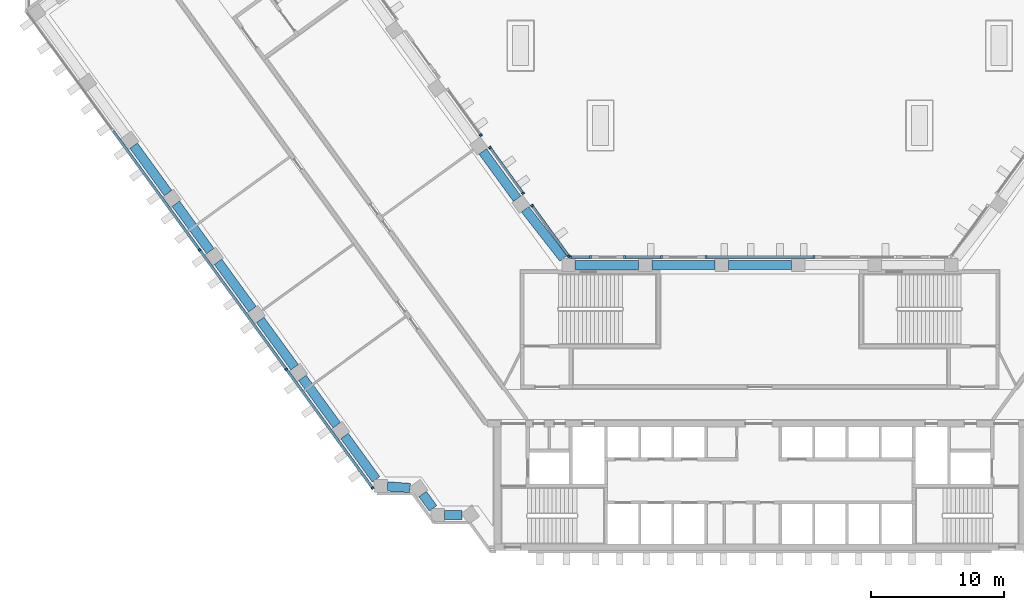
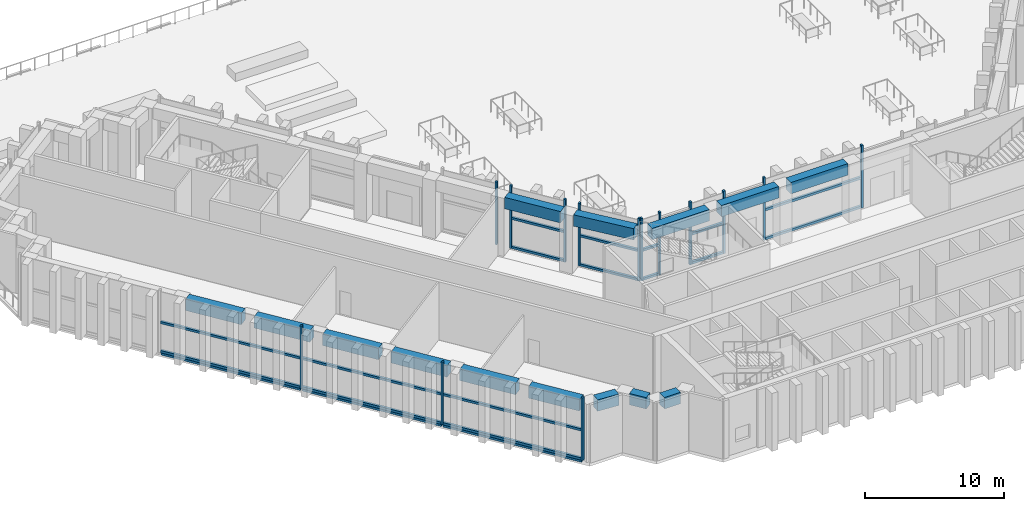
"""IFC4 building model written with IfcOpenShell, lengths in metres."""

from ifc_helpers import new_model, si_unit, direction, frame, origin, origin_2d, place, context, subcontext, project, spatial, rectangle, extrude, material, material_profile, profile_set, type_object, element, aggregate, save


model = new_model("IFC4")

# Units and contexts
model_context = context("Model", 3, precision=1e-05, world=origin(), true_north=direction((0.0, 1.0)))
body_context = subcontext(model_context, "Body", "Model", "MODEL_VIEW")
ifc_project = project(units=[si_unit("LENGTHUNIT", "METRE"), si_unit("AREAUNIT", "SQUARE_METRE"), si_unit("VOLUMEUNIT", "CUBIC_METRE"), si_unit("PLANEANGLEUNIT", "RADIAN"), si_unit("MASSUNIT", "GRAM", prefix="KILO")], contexts=[model_context])

# Site, building, storey
site_placement = place(None, origin())
site = spatial("IfcSite", under=ifc_project, at=site_placement, CompositionType="ELEMENT")
building_placement = place(site_placement, origin())
building = spatial("IfcBuilding", under=site, at=building_placement, Name="Quipu Civic Tower", CompositionType="ELEMENT")
storey_1_placement = place(building_placement, frame((0.0, 0.0, 6.0)))
storey_1 = spatial("IfcBuildingStorey", under=building, at=storey_1_placement, Name="L01", CompositionType="ELEMENT", Elevation=6.0)

# Curtain wall, members
ifc_material_1 = material(Name="Insulated glass unit", Category="glass")
curtain_wall_type_1 = type_object("IfcCurtainWallType", Name="Council chamber curtain wall CW4", PredefinedType="NOTDEFINED", material=ifc_material_1)
curtain_wall_1_placement = place(storey_1_placement, origin())
curtain_wall_1 = element("IfcCurtainWall", 1, at=curtain_wall_1_placement, inside=storey_1, type_object=curtain_wall_type_1, Name="Council chamber curtain wall CW4 L01 run 1", PredefinedType="NOTDEFINED")
ifc_material_2 = material(Name="Anodised aluminium", Category="aluminium")
ifc_material_profile_1 = material_profile(ifc_material_2, rectangle(XDim=0.199951171875, YDim=0.159912109375, at=origin_2d()), Name="RECT 200x160")
ifc_profile_set_1 = profile_set([ifc_material_profile_1], Name="Anodised aluminium")
member_type_1 = type_object("IfcMemberType", Name="Mullion CW4", PredefinedType="MULLION", material=ifc_profile_set_1)
member_1_placement = place(storey_1_placement, frame((-14.39111328125, 11.164794921875, 0.10009765625), z_axis=(0.0, 0.0, 1.0), x_axis=(-0.809009770629, -0.587795194797, 0.0)))
member_1 = element("IfcMember", 2, at=member_1_placement, type_object=member_type_1, Name="CW4 mullion 1", PredefinedType="MULLION", context=body_context, shape_type="SweptSolid", body=[
    extrude(rectangle(XDim=0.199951171875, YDim=0.159912109375, at=origin_2d()), origin(), (0.0, 0.0, 1.0), 5.5),
])
member_2_placement = place(storey_1_placement, frame((-17.1474609375, 14.958251953125, 0.10009765625), z_axis=(0.0, 0.0, 1.0), x_axis=(-0.809009770629, -0.587795194797, 0.0)))
member_2 = element("IfcMember", 3, at=member_2_placement, type_object=member_type_1, Name="CW4 mullion 2", PredefinedType="MULLION", context=body_context, shape_type="SweptSolid", body=[
    extrude(rectangle(XDim=0.199951171875, YDim=0.159912109375, at=origin_2d()), origin(), (0.0, 0.0, 1.0), 5.5),
])

curtain_wall_2_placement = place(storey_1_placement, origin())
curtain_wall_2 = element("IfcCurtainWall", 4, at=curtain_wall_2_placement, inside=storey_1, type_object=curtain_wall_type_1, Name="Council chamber curtain wall CW4 L01 run 2", PredefinedType="NOTDEFINED")
member_3_placement = place(storey_1_placement, frame((-17.829345703125, 15.896728515625, 0.10009765625), z_axis=(0.0, 0.0, 1.0), x_axis=(-0.809006271283, -0.587800011079, 0.0)))
member_3 = element("IfcMember", 5, at=member_3_placement, type_object=member_type_1, Name="CW4 mullion 1", PredefinedType="MULLION", context=body_context, shape_type="SweptSolid", body=[
    extrude(rectangle(XDim=0.199951171875, YDim=0.159912109375, at=origin_2d()), origin(), (0.0, 0.0, 1.0), 5.5),
])
member_4_placement = place(storey_1_placement, frame((-20.321533203125, 19.326904296875, 0.10009765625), z_axis=(0.0, 0.0, 1.0), x_axis=(-0.809006271283, -0.587800011079, 0.0)))
member_4 = element("IfcMember", 6, at=member_4_placement, type_object=member_type_1, Name="CW4 mullion 2", PredefinedType="MULLION", context=body_context, shape_type="SweptSolid", body=[
    extrude(rectangle(XDim=0.199951171875, YDim=0.159912109375, at=origin_2d()), origin(), (0.0, 0.0, 1.0), 5.5),
])

# Curtain wall, member
curtain_wall_3_placement = place(storey_1_placement, origin())
curtain_wall_3 = element("IfcCurtainWall", 7, at=curtain_wall_3_placement, inside=storey_1, type_object=curtain_wall_type_1, Name="Council chamber curtain wall CW4 L01 run 3", PredefinedType="NOTDEFINED")
member_5_placement = place(storey_1_placement, frame((-21.00341796875, 20.265380859375, 0.10009765625), z_axis=(0.0, 0.0, 1.0), x_axis=(-0.809024930992, -0.587774328321, 0.0)))
member_5 = element("IfcMember", 8, at=member_5_placement, type_object=member_type_1, Name="CW4 mullion 1", PredefinedType="MULLION", context=body_context, shape_type="SweptSolid", body=[
    extrude(rectangle(XDim=0.199951171875, YDim=0.159912109375, at=origin_2d()), origin(), (0.0, 0.0, 1.0), 5.5),
])
aggregate(curtain_wall_3, [member_5])

# Curtain wall, members
curtain_wall_4_placement = place(storey_1_placement, origin())
curtain_wall_4 = element("IfcCurtainWall", 9, at=curtain_wall_4_placement, inside=storey_1, type_object=curtain_wall_type_1, Name="Council chamber curtain wall CW4 L01 run 20", PredefinedType="NOTDEFINED")
member_6_placement = place(storey_1_placement, frame((-42.179931640625, 11.6435546875, 0.10009765625), z_axis=(0.0, 0.0, 1.0), x_axis=(0.809016918788, 0.587785356329, 0.0)))
member_6 = element("IfcMember", 10, at=member_6_placement, type_object=member_type_1, Name="CW4 mullion 3", PredefinedType="MULLION", context=body_context, shape_type="SweptSolid", body=[
    extrude(rectangle(XDim=0.199951171875, YDim=0.159912109375, at=origin_2d()), origin(), (0.0, 0.0, 1.0), 5.5),
])
member_7_placement = place(storey_1_placement, frame((-35.64306640625, 2.646240234375, 0.10009765625), z_axis=(0.0, 0.0, 1.0), x_axis=(0.809016918788, 0.587785356329, 0.0)))
member_7 = element("IfcMember", 11, at=member_7_placement, type_object=member_type_1, Name="CW4 mullion 4", PredefinedType="MULLION", context=body_context, shape_type="SweptSolid", body=[
    extrude(rectangle(XDim=0.199951171875, YDim=0.159912109375, at=origin_2d()), origin(), (0.0, 0.0, 1.0), 5.5),
])
member_8_placement = place(storey_1_placement, frame((-29.15283203125, -6.28662109375, 0.10009765625), z_axis=(0.0, 0.0, 1.0), x_axis=(0.809016918788, 0.587785356329, 0.0)))
member_8 = element("IfcMember", 12, at=member_8_placement, type_object=member_type_1, Name="CW4 mullion 5", PredefinedType="MULLION", context=body_context, shape_type="SweptSolid", body=[
    extrude(rectangle(XDim=0.199951171875, YDim=0.159912109375, at=origin_2d()), origin(), (0.0, 0.0, 1.0), 5.5),
])

curtain_wall_5_placement = place(storey_1_placement, origin())
curtain_wall_5 = element("IfcCurtainWall", 13, at=curtain_wall_5_placement, inside=storey_1, type_object=curtain_wall_type_1, Name="Council chamber curtain wall CW4 L01 run 58", PredefinedType="NOTDEFINED")
member_9_placement = place(storey_1_placement, frame((4.063232421875, 11.10009765625, 0.10009765625), z_axis=(0.0, 0.0, 1.0), x_axis=(0.0, -1.0, 0.0)))
member_9 = element("IfcMember", 14, at=member_9_placement, type_object=member_type_1, Name="CW4 mullion 1", PredefinedType="MULLION", context=body_context, shape_type="SweptSolid", body=[
    extrude(rectangle(XDim=0.199951171875, YDim=0.159912109375, at=origin_2d()), origin(), (0.0, 0.0, 1.0), 5.5),
])
member_10_placement = place(storey_1_placement, frame((-4.063232421875, 11.10009765625, 0.10009765625), z_axis=(0.0, 0.0, 1.0), x_axis=(0.0, -1.0, 0.0)))
member_10 = element("IfcMember", 15, at=member_10_placement, type_object=member_type_1, Name="CW4 mullion 2", PredefinedType="MULLION", context=body_context, shape_type="SweptSolid", body=[
    extrude(rectangle(XDim=0.199951171875, YDim=0.159912109375, at=origin_2d()), origin(), (0.0, 0.0, 1.0), 5.5),
])

curtain_wall_6_placement = place(storey_1_placement, origin())
curtain_wall_6 = element("IfcCurtainWall", 16, at=curtain_wall_6_placement, inside=storey_1, type_object=curtain_wall_type_1, Name="Council chamber curtain wall CW4 L01 run 60", PredefinedType="NOTDEFINED")
member_11_placement = place(storey_1_placement, frame((-7.411865234375, 11.10009765625, 0.10009765625), z_axis=(0.0, 0.0, 1.0), x_axis=(0.0, -1.0, 0.0)))
member_11 = element("IfcMember", 17, at=member_11_placement, type_object=member_type_1, Name="CW4 mullion 1", PredefinedType="MULLION", context=body_context, shape_type="SweptSolid", body=[
    extrude(rectangle(XDim=0.199951171875, YDim=0.159912109375, at=origin_2d()), origin(), (0.0, 0.0, 1.0), 5.5),
])
member_12_placement = place(storey_1_placement, frame((-10.18359375, 11.10009765625, 0.10009765625), z_axis=(0.0, 0.0, 1.0), x_axis=(0.0, -1.0, 0.0)))
member_12 = element("IfcMember", 18, at=member_12_placement, type_object=member_type_1, Name="CW4 mullion 2", PredefinedType="MULLION", context=body_context, shape_type="SweptSolid", body=[
    extrude(rectangle(XDim=0.199951171875, YDim=0.159912109375, at=origin_2d()), origin(), (0.0, 0.0, 1.0), 5.5),
])

curtain_wall_7_placement = place(storey_1_placement, origin())
curtain_wall_7 = element("IfcCurtainWall", 19, at=curtain_wall_7_placement, inside=storey_1, type_object=curtain_wall_type_1, Name="Council chamber curtain wall CW4 L01 run 62", PredefinedType="NOTDEFINED")
member_13_placement = place(storey_1_placement, frame((-12.735107421875, 11.10009765625, 0.10009765625), z_axis=(0.0, 0.0, 1.0), x_axis=(0.0, -1.0, 0.0)))
member_13 = element("IfcMember", 20, at=member_13_placement, type_object=member_type_1, Name="CW4 mullion 1", PredefinedType="MULLION", context=body_context, shape_type="SweptSolid", body=[
    extrude(rectangle(XDim=0.199951171875, YDim=0.159912109375, at=origin_2d()), origin(), (0.0, 0.0, 1.0), 5.5),
])
member_14_placement = place(storey_1_placement, frame((-14.26416015625, 11.10009765625, 0.10009765625), z_axis=(0.0, 0.0, 1.0), x_axis=(0.0, -1.0, 0.0)))
member_14 = element("IfcMember", 21, at=member_14_placement, type_object=member_type_1, Name="CW4 mullion 2", PredefinedType="MULLION", context=body_context, shape_type="SweptSolid", body=[
    extrude(rectangle(XDim=0.199951171875, YDim=0.159912109375, at=origin_2d()), origin(), (0.0, 0.0, 1.0), 5.5),
])

# Beams
ifc_material_3 = material(Name="Concrete C50/60", Category="concrete")
ifc_material_profile_2 = material_profile(ifc_material_3, rectangle(XDim=0.699951171875, YDim=1.0, at=origin_2d()), Name="RC700x1000")
ifc_profile_set_2 = profile_set([ifc_material_profile_2], Name="Concrete C50/60")
beam_type = type_object("IfcBeamType", Name="Spandrel beam RC 700x1000 C50/60", PredefinedType="SPANDREL", material=ifc_profile_set_2)
for number, where, z_axis, x_axis, name in (
    (22, (-18.267578125, 15.4794921875, 4.60009765625), (-0.587722908759, 0.809062285934, 0.0), (-0.809062285934, -0.587722908759, 0.0), "Spandrel beam L01 W-IN-01 to W-IN-02"),
    (23, (-47.12451171875, 19.47021484375, 4.60009765625), (0.587785613349, -0.809016732052, 0.0), (0.809016732052, 0.587785613349, 0.0), "Spandrel beam L01 W-OUT-06 to W-OUT-05"),
):
    element("IfcBeam", number, at=place(storey_1_placement, frame(where, z_axis=z_axis, x_axis=x_axis)), inside=storey_1, type_object=beam_type, Name=name, PredefinedType="SPANDREL", context=body_context, shape_type="SweptSolid", body=[
        extrude(rectangle(XDim=0.699951171875, YDim=1.0, at=origin_2d()), origin(), (0.0, 0.0, 1.0), 4.39990234375),
    ])
for number, where, z_axis, x_axis, name in (
    (24, (-43.950439453125, 15.101806640625, 4.60009765625), (0.587759228046, -0.809035901457, 0.0), (0.809035901457, 0.587759228046, 0.0), "Spandrel beam L01 W-OUT-05 to W-OUT-04"),
    (25, (-40.776611328125, 10.73291015625, 4.60009765625), (0.58779554378, -0.809009517072, 0.0), (0.809009517072, 0.58779554378, 0.0), "Spandrel beam L01 W-OUT-04 to W-OUT-03"),
    (26, (-37.602294921875, 6.3642578125, 4.60009765625), (0.587759228046, -0.809035901457, 0.0), (0.809035901457, 0.587759228046, 0.0), "Spandrel beam L01 W-OUT-03 to W-OUT-02"),
    (27, (-34.428466796875, 1.99560546875, 4.60009765625), (0.587759228046, -0.809035901457, 0.0), (0.809035901457, 0.587759228046, 0.0), "Spandrel beam L01 W-OUT-02 to W-OUT-01"),
):
    element("IfcBeam", number, at=place(storey_1_placement, frame(where, z_axis=z_axis, x_axis=x_axis)), inside=storey_1, type_object=beam_type, Name=name, PredefinedType="SPANDREL", context=body_context, shape_type="SweptSolid", body=[
        extrude(rectangle(XDim=0.699951171875, YDim=1.0, at=origin_2d()), origin(), (0.0, 0.0, 1.0), 4.400146484375),
    ])
beam_1_placement = place(storey_1_placement, frame((-31.25439453125, -2.373291015625, 4.60009765625), z_axis=(0.587811022966, -0.808998270258, 0.0), x_axis=(0.808998270258, 0.587811022966, 0.0)))
element("IfcBeam", 28, at=beam_1_placement, inside=storey_1, type_object=beam_type, Name="Spandrel beam L01 W-OUT-01 to J-Wo.0", PredefinedType="SPANDREL", context=body_context, shape_type="SweptSolid", body=[
    extrude(rectangle(XDim=0.699951171875, YDim=1.0, at=origin_2d()), origin(), (0.0, 0.0, 1.0), 4.025390625),
])
beam_2_placement = place(storey_1_placement, frame((-28.02490234375, -6.166259765625, 4.60009765625), z_axis=(0.99737429836, -0.072418982124, 0.0), x_axis=(0.072418982124, 0.99737429836, 0.0)))
element("IfcBeam", 29, at=beam_2_placement, inside=storey_1, type_object=beam_type, Name="Spandrel beam L01 J-Wo.0 to J-Wo.1", PredefinedType="SPANDREL", context=body_context, shape_type="SweptSolid", body=[
    extrude(rectangle(XDim=0.699951171875, YDim=1.0, at=origin_2d()), origin(), (0.0, 0.0, 1.0), 1.702392578125),
])
beam_3_placement = place(storey_1_placement, frame((-25.380126953125, -6.7412109375, 4.60009765625), z_axis=(0.588346597772, -0.808608855313, 0.0), x_axis=(0.808608855313, 0.588346597772, 0.0)))
element("IfcBeam", 30, at=beam_3_placement, inside=storey_1, type_object=beam_type, Name="Spandrel beam L01 J-Wo.1 to J-Wo.2", PredefinedType="SPANDREL", context=body_context, shape_type="SweptSolid", body=[
    extrude(rectangle(XDim=0.699951171875, YDim=1.0, at=origin_2d()), origin(), (0.0, 0.0, 1.0), 1.327880859375),
])
beam_4_placement = place(storey_1_placement, frame((-23.735107421875, -8.31494140625, 4.60009765625), z_axis=(1.0, 0.0, 0.0), x_axis=(0.0, 1.0, 0.0)))
element("IfcBeam", 31, at=beam_4_placement, inside=storey_1, type_object=beam_type, Name="Spandrel beam L01 J-Wo.2 to J-Wo.3", PredefinedType="SPANDREL", context=body_context, shape_type="SweptSolid", body=[
    extrude(rectangle(XDim=0.699951171875, YDim=1.0, at=origin_2d()), origin(), (0.0, 0.0, 1.0), 1.3251953125),
])
beam_5_placement = place(storey_1_placement, frame((2.37890625, 10.5, 4.60009765625), z_axis=(-1.0, 0.0, 0.0), x_axis=(0.0, -1.0, 0.0)))
element("IfcBeam", 32, at=beam_5_placement, inside=storey_1, type_object=beam_type, Name="Spandrel beam L01 FRONT-02 to FRONT-03", PredefinedType="SPANDREL", context=body_context, shape_type="SweptSolid", body=[
    extrude(rectangle(XDim=0.699951171875, YDim=1.0, at=origin_2d()), origin(), (0.0, 0.0, 1.0), 4.7578125),
])
beam_6_placement = place(storey_1_placement, frame((-3.37890625, 10.5, 4.60009765625), z_axis=(-1.0, 0.0, 0.0), x_axis=(0.0, -1.0, 0.0)))
element("IfcBeam", 33, at=beam_6_placement, inside=storey_1, type_object=beam_type, Name="Spandrel beam L01 FRONT-03 to FRONT-04", PredefinedType="SPANDREL", context=body_context, shape_type="SweptSolid", body=[
    extrude(rectangle(XDim=0.699951171875, YDim=1.0, at=origin_2d()), origin(), (0.0, 0.0, 1.0), 4.75830078125),
])
beam_7_placement = place(storey_1_placement, frame((-9.13720703125, 10.5, 4.60009765625), z_axis=(-1.0, 0.0, 0.0), x_axis=(0.0, -1.0, 0.0)))
element("IfcBeam", 34, at=beam_7_placement, inside=storey_1, type_object=beam_type, Name="Spandrel beam L01 FRONT-04 to J-Wi.0", PredefinedType="SPANDREL", context=body_context, shape_type="SweptSolid", body=[
    extrude(rectangle(XDim=0.699951171875, YDim=1.0, at=origin_2d()), origin(), (0.0, 0.0, 1.0), 4.758056640625),
])
beam_8_placement = place(storey_1_placement, frame((-14.786376953125, 11.0, 4.60009765625), z_axis=(-0.616068753057, 0.787692383806, 0.0), x_axis=(-0.787692383806, -0.616068753057, 0.0)))
element("IfcBeam", 35, at=beam_8_placement, inside=storey_1, type_object=beam_type, Name="Spandrel beam L01 J-Wi.0 to W-IN-01", PredefinedType="SPANDREL", context=body_context, shape_type="SweptSolid", body=[
    extrude(rectangle(XDim=0.699951171875, YDim=1.0, at=origin_2d()), origin(), (0.0, 0.0, 1.0), 4.673095703125),
])

# Storey
storey_2_placement = place(building_placement, origin())
storey_2 = spatial("IfcBuildingStorey", under=building, at=storey_2_placement, Name="L00", CompositionType="ELEMENT", Elevation=0.0)

# Curtain wall, members
ifc_material_4 = material(Name="Insulated glass unit", Category="glass")
curtain_wall_type_2 = type_object("IfcCurtainWallType", Name="Hall glazing CW2", PredefinedType="NOTDEFINED", material=ifc_material_4)
curtain_wall_8_placement = place(storey_2_placement, origin())
curtain_wall_8 = element("IfcCurtainWall", 36, at=curtain_wall_8_placement, inside=storey_2, type_object=curtain_wall_type_2, Name="Hall glazing CW2 L00 run 35", PredefinedType="NOTDEFINED")
ifc_material_5 = material(Name="Anodised aluminium", Category="aluminium")
ifc_material_profile_3 = material_profile(ifc_material_5, rectangle(XDim=0.199951171875, YDim=0.179931640625, at=origin_2d()), Name="RECT 200x180")
ifc_profile_set_3 = profile_set([ifc_material_profile_3], Name="Anodised aluminium")
member_type_2 = type_object("IfcMemberType", Name="Transom CW2", PredefinedType="USERDEFINED", material=ifc_profile_set_3)
member_15_placement = place(storey_1_placement, frame((-48.650146484375, 20.548828125, 0.0), z_axis=(0.587795713653, -0.809009393648, 0.0), x_axis=(0.809009393648, 0.587795713653, 0.0)))
member_15 = element("IfcMember", 37, at=member_15_placement, inside=storey_1, type_object=member_type_2, Name="CW2 transom 2.3", ObjectType="TRANSOM", PredefinedType="USERDEFINED", context=body_context, shape_type="SweptSolid", body=[
    extrude(rectangle(XDim=0.199951171875, YDim=0.179931640625, at=origin_2d()), origin(), (0.0, 0.0, 1.0), 10.966796875),
])
member_16_placement = place(storey_1_placement, frame((-42.12158203125, 11.563232421875, 0.0), z_axis=(0.587781143224, -0.809019979772, 0.0), x_axis=(0.809019979772, 0.587781143224, 0.0)))
member_16 = element("IfcMember", 38, at=member_16_placement, inside=storey_1, type_object=member_type_2, Name="CW2 transom 3.3", ObjectType="TRANSOM", PredefinedType="USERDEFINED", context=body_context, shape_type="SweptSolid", body=[
    extrude(rectangle(XDim=0.199951171875, YDim=0.179931640625, at=origin_2d()), origin(), (0.0, 0.0, 1.0), 10.966796875),
])
member_17_placement = place(storey_1_placement, frame((-35.59326171875, 2.57763671875, 0.0), z_axis=(0.587789297473, -0.809014055364, 0.0), x_axis=(0.809014055364, 0.587789297473, 0.0)))
member_17 = element("IfcMember", 39, at=member_17_placement, inside=storey_1, type_object=member_type_2, Name="CW2 transom 4.3", ObjectType="TRANSOM", PredefinedType="USERDEFINED", context=body_context, shape_type="SweptSolid", body=[
    extrude(rectangle(XDim=0.199951171875, YDim=0.179931640625, at=origin_2d()), origin(), (0.0, 0.0, 1.0), 10.896728515625),
])
aggregate(curtain_wall_8, [member_15, member_16, member_17])

# Member
ifc_material_6 = material(Name="Anodised aluminium", Category="aluminium")
ifc_material_profile_4 = material_profile(ifc_material_6, rectangle(XDim=0.199951171875, YDim=0.199951171875, at=origin_2d()), Name="RECT 200x200")
ifc_profile_set_4 = profile_set([ifc_material_profile_4], Name="Anodised aluminium")
member_type_3 = type_object("IfcMemberType", Name="Transom CW4", PredefinedType="USERDEFINED", material=ifc_profile_set_4)
member_18_placement = place(storey_1_placement, frame((-14.438232421875, 11.2294921875, 0.199951171875), z_axis=(-0.587787007192, 0.809015719363, 0.0), x_axis=(-0.809015719363, -0.587787007192, 0.0)))
member_18 = element("IfcMember", 40, at=member_18_placement, type_object=member_type_3, Name="CW4 transom 1.1", ObjectType="TRANSOM", PredefinedType="USERDEFINED", context=body_context, shape_type="SweptSolid", body=[
    extrude(rectangle(XDim=0.199951171875, YDim=0.199951171875, at=origin_2d()), origin(), (0.0, 0.0, 1.0), 4.529052734375),
])

member_19_placement = place(storey_1_placement, frame((-14.438232421875, 11.2294921875, 2.75), z_axis=(-0.587787007192, 0.809015719363, 0.0), x_axis=(-0.809015719363, -0.587787007192, 0.0)))
member_19 = element("IfcMember", 41, at=member_19_placement, type_object=member_type_3, Name="CW4 transom 1.2", ObjectType="TRANSOM", PredefinedType="USERDEFINED", context=body_context, shape_type="SweptSolid", body=[
    extrude(rectangle(XDim=0.199951171875, YDim=0.199951171875, at=origin_2d()), origin(), (0.0, 0.0, 1.0), 4.529052734375),
])

aggregate(curtain_wall_1, [member_1, member_2, member_18, member_19])

member_20_placement = place(storey_1_placement, frame((-17.876220703125, 15.96142578125, 0.199951171875), z_axis=(-0.587790931986, 0.809012867805, 0.0), x_axis=(-0.809012867805, -0.587790931986, 0.0)))
member_20 = element("IfcMember", 42, at=member_20_placement, type_object=member_type_3, Name="CW4 transom 1.1", ObjectType="TRANSOM", PredefinedType="USERDEFINED", context=body_context, shape_type="SweptSolid", body=[
    extrude(rectangle(XDim=0.199951171875, YDim=0.199951171875, at=origin_2d()), origin(), (0.0, 0.0, 1.0), 4.080078125),
])

member_21_placement = place(storey_1_placement, frame((-17.876220703125, 15.96142578125, 2.75), z_axis=(-0.587790931986, 0.809012867805, 0.0), x_axis=(-0.809012867805, -0.587790931986, 0.0)))
member_21 = element("IfcMember", 43, at=member_21_placement, type_object=member_type_3, Name="CW4 transom 1.2", ObjectType="TRANSOM", PredefinedType="USERDEFINED", context=body_context, shape_type="SweptSolid", body=[
    extrude(rectangle(XDim=0.199951171875, YDim=0.199951171875, at=origin_2d()), origin(), (0.0, 0.0, 1.0), 4.080078125),
])

aggregate(curtain_wall_2, [member_3, member_4, member_20, member_21])

member_22_placement = place(storey_1_placement, frame((-48.669921875, 20.576416015625, 0.199951171875), z_axis=(0.587771683611, -0.809026852425, 0.0), x_axis=(0.809026852425, 0.587771683611, 0.0)))
member_22 = element("IfcMember", 44, at=member_22_placement, type_object=member_type_3, Name="CW4 transom 2.1", ObjectType="TRANSOM", PredefinedType="USERDEFINED", context=body_context, shape_type="SweptSolid", body=[
    extrude(rectangle(XDim=0.199951171875, YDim=0.199951171875, at=origin_2d()), origin(), (0.0, 0.0, 1.0), 10.96142578125),
])

member_23_placement = place(storey_1_placement, frame((-48.669921875, 20.576416015625, 2.75), z_axis=(0.587771683611, -0.809026852425, 0.0), x_axis=(0.809026852425, 0.587771683611, 0.0)))
member_23 = element("IfcMember", 45, at=member_23_placement, type_object=member_type_3, Name="CW4 transom 2.2", ObjectType="TRANSOM", PredefinedType="USERDEFINED", context=body_context, shape_type="SweptSolid", body=[
    extrude(rectangle(XDim=0.199951171875, YDim=0.199951171875, at=origin_2d()), origin(), (0.0, 0.0, 1.0), 10.96142578125),
])

member_24_placement = place(storey_1_placement, frame((-42.133056640625, 11.578857421875, 0.199951171875), z_axis=(0.587796852452, -0.809008566239, 0.0), x_axis=(0.809008566239, 0.587796852452, 0.0)))
member_24 = element("IfcMember", 46, at=member_24_placement, type_object=member_type_3, Name="CW4 transom 3.1", ObjectType="TRANSOM", PredefinedType="USERDEFINED", context=body_context, shape_type="SweptSolid", body=[
    extrude(rectangle(XDim=0.199951171875, YDim=0.199951171875, at=origin_2d()), origin(), (0.0, 0.0, 1.0), 10.96142578125),
])

member_25_placement = place(storey_1_placement, frame((-42.133056640625, 11.578857421875, 2.75), z_axis=(0.587796852452, -0.809008566239, 0.0), x_axis=(0.809008566239, 0.587796852452, 0.0)))
member_25 = element("IfcMember", 47, at=member_25_placement, type_object=member_type_3, Name="CW4 transom 3.2", ObjectType="TRANSOM", PredefinedType="USERDEFINED", context=body_context, shape_type="SweptSolid", body=[
    extrude(rectangle(XDim=0.199951171875, YDim=0.199951171875, at=origin_2d()), origin(), (0.0, 0.0, 1.0), 10.96142578125),
])

member_26_placement = place(storey_1_placement, frame((-35.595947265625, 2.58154296875, 0.199951171875), z_axis=(0.587779422244, -0.809021230121, 0.0), x_axis=(0.809021230121, 0.587779422244, 0.0)))
member_26 = element("IfcMember", 48, at=member_26_placement, type_object=member_type_3, Name="CW4 transom 4.1", ObjectType="TRANSOM", PredefinedType="USERDEFINED", context=body_context, shape_type="SweptSolid", body=[
    extrude(rectangle(XDim=0.199951171875, YDim=0.199951171875, at=origin_2d()), origin(), (0.0, 0.0, 1.0), 10.881591796875),
])

member_27_placement = place(storey_1_placement, frame((-35.595947265625, 2.58154296875, 2.75), z_axis=(0.587779422244, -0.809021230121, 0.0), x_axis=(0.809021230121, 0.587779422244, 0.0)))
member_27 = element("IfcMember", 49, at=member_27_placement, type_object=member_type_3, Name="CW4 transom 4.2", ObjectType="TRANSOM", PredefinedType="USERDEFINED", context=body_context, shape_type="SweptSolid", body=[
    extrude(rectangle(XDim=0.199951171875, YDim=0.199951171875, at=origin_2d()), origin(), (0.0, 0.0, 1.0), 10.881591796875),
])

aggregate(curtain_wall_4, [member_6, member_7, member_8, member_22, member_23, member_24, member_25, member_26, member_27])

member_28_placement = place(storey_1_placement, frame((3.9833984375, 11.10009765625, 0.199951171875), z_axis=(-1.0, 0.0, 0.0), x_axis=(0.0, -1.0, 0.0)))
member_28 = element("IfcMember", 50, at=member_28_placement, type_object=member_type_3, Name="CW4 transom 1.1", ObjectType="TRANSOM", PredefinedType="USERDEFINED", context=body_context, shape_type="SweptSolid", body=[
    extrude(rectangle(XDim=0.199951171875, YDim=0.199951171875, at=origin_2d()), origin(), (0.0, 0.0, 1.0), 7.966796875),
])

member_29_placement = place(storey_1_placement, frame((3.9833984375, 11.10009765625, 2.75), z_axis=(-1.0, 0.0, 0.0), x_axis=(0.0, -1.0, 0.0)))
member_29 = element("IfcMember", 51, at=member_29_placement, type_object=member_type_3, Name="CW4 transom 1.2", ObjectType="TRANSOM", PredefinedType="USERDEFINED", context=body_context, shape_type="SweptSolid", body=[
    extrude(rectangle(XDim=0.199951171875, YDim=0.199951171875, at=origin_2d()), origin(), (0.0, 0.0, 1.0), 7.966796875),
])

aggregate(curtain_wall_5, [member_9, member_10, member_28, member_29])

member_30_placement = place(storey_1_placement, frame((-7.491943359375, 11.10009765625, 0.199951171875), z_axis=(-1.0, 0.0, 0.0), x_axis=(0.0, -1.0, 0.0)))
member_30 = element("IfcMember", 52, at=member_30_placement, type_object=member_type_3, Name="CW4 transom 1.1", ObjectType="TRANSOM", PredefinedType="USERDEFINED", context=body_context, shape_type="SweptSolid", body=[
    extrude(rectangle(XDim=0.199951171875, YDim=0.199951171875, at=origin_2d()), origin(), (0.0, 0.0, 1.0), 2.611572265625),
])

member_31_placement = place(storey_1_placement, frame((-7.491943359375, 11.10009765625, 2.75), z_axis=(-1.0, 0.0, 0.0), x_axis=(0.0, -1.0, 0.0)))
member_31 = element("IfcMember", 53, at=member_31_placement, type_object=member_type_3, Name="CW4 transom 1.2", ObjectType="TRANSOM", PredefinedType="USERDEFINED", context=body_context, shape_type="SweptSolid", body=[
    extrude(rectangle(XDim=0.199951171875, YDim=0.199951171875, at=origin_2d()), origin(), (0.0, 0.0, 1.0), 2.611572265625),
])

aggregate(curtain_wall_6, [member_11, member_12, member_30, member_31])

member_32_placement = place(storey_1_placement, frame((-12.81494140625, 11.10009765625, 0.199951171875), z_axis=(-1.0, 0.0, 0.0), x_axis=(0.0, -1.0, 0.0)))
member_32 = element("IfcMember", 54, at=member_32_placement, type_object=member_type_3, Name="CW4 transom 1.1", ObjectType="TRANSOM", PredefinedType="USERDEFINED", context=body_context, shape_type="SweptSolid", body=[
    extrude(rectangle(XDim=0.199951171875, YDim=0.199951171875, at=origin_2d()), origin(), (0.0, 0.0, 1.0), 1.369140625),
])

member_33_placement = place(storey_1_placement, frame((-12.81494140625, 11.10009765625, 2.75), z_axis=(-1.0, 0.0, 0.0), x_axis=(0.0, -1.0, 0.0)))
member_33 = element("IfcMember", 55, at=member_33_placement, type_object=member_type_3, Name="CW4 transom 1.2", ObjectType="TRANSOM", PredefinedType="USERDEFINED", context=body_context, shape_type="SweptSolid", body=[
    extrude(rectangle(XDim=0.199951171875, YDim=0.199951171875, at=origin_2d()), origin(), (0.0, 0.0, 1.0), 1.369140625),
])

aggregate(curtain_wall_7, [member_13, member_14, member_32, member_33])

save(model, "model.ifc")
